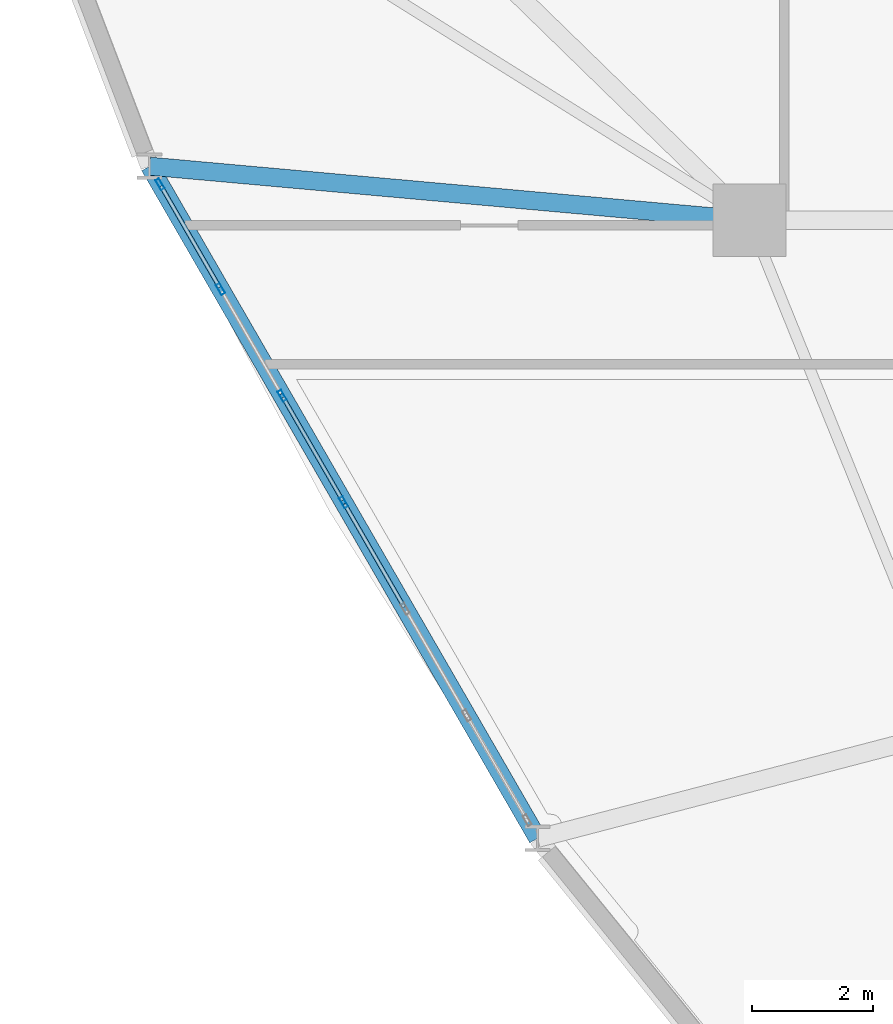
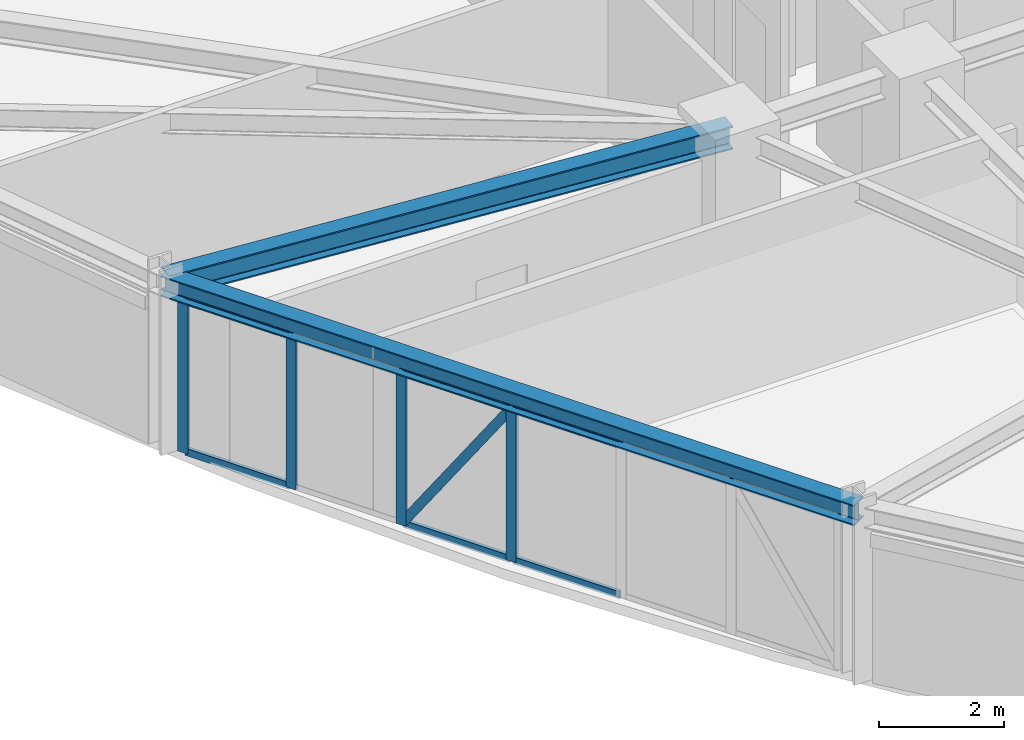
# One storey, part 4 of 15: 11 members, 2 beams, 1 element without a shape of its own.
"""IFC4 building model written with IfcOpenShell, lengths in metres."""

from ifc_helpers import new_model, si_unit, derived_unit, direction, frame, origin, origin_2d, place, context, subcontext, project, spatial, hollow_rectangle, i_section, extrude, source, transform, mapped, material, layer, layer_set, material_profile, profile_set, type_object, element, aggregate, save


model = new_model("IFC4")

# Units and contexts
model_context = context("Model", 3, precision=1e-05, world=origin(), true_north=direction((0.0, 1.0)))
body_context = subcontext(model_context, "Body", "Model", "MODEL_VIEW")
ifc_project = project(units=[si_unit("LENGTHUNIT", "METRE"), si_unit("AREAUNIT", "SQUARE_METRE"), si_unit("VOLUMEUNIT", "CUBIC_METRE"), si_unit("PLANEANGLEUNIT", "RADIAN"), si_unit("MASSUNIT", "GRAM", prefix="KILO"), derived_unit("THERMALTRANSMITTANCEUNIT", [(si_unit("POWERUNIT", "WATT"), 1), (si_unit("LENGTHUNIT", "METRE"), -2), (si_unit("THERMODYNAMICTEMPERATUREUNIT", "KELVIN"), -1)])], contexts=[model_context])

# Site, building, storey
site_placement = place(None, origin())
site = spatial("IfcSite", under=ifc_project, at=site_placement, CompositionType="ELEMENT")
building_placement = place(site_placement, origin())
building = spatial("IfcBuilding", under=site, at=building_placement, Name="Korsvarv Bourse and Concert Hall", CompositionType="ELEMENT")
storey_placement = place(building_placement, frame((0.0, 0.0, 157.800048828125)))
storey = spatial("IfcBuildingStorey", under=building, at=storey_placement, Name="L40", CompositionType="ELEMENT", Elevation=157.800048828125)

# Beams
ifc_material_1 = material(Name="Steel S355", Category="steel")
ifc_material_profile_1 = material_profile(ifc_material_1, i_section(OverallWidth=0.300048828125, OverallDepth=0.39990234375, WebThickness=0.013427734375, FlangeThickness=0.02392578125, FilletRadius=0.02099609375, at=origin_2d()), Name="HEB 400")
ifc_profile_set_1 = profile_set([ifc_material_profile_1], Name="Steel S355")
beam_type_1 = type_object("IfcBeamType", Name="BM-HEB400", PredefinedType="SPANDREL", material=ifc_profile_set_1)
shared_shape_1 = source(origin(), body_context, "Body", "SweptSolid", [
    extrude(i_section(OverallWidth=0.300048828125, OverallDepth=0.39990234375, WebThickness=0.013427734375, FlangeThickness=0.02392578125, FilletRadius=0.02099609375, at=origin_2d()), origin(), (0.0, 0.0, 1.0), 12.802978515625),
])
beam_1_placement = place(storey_placement, frame((14.30322265625, 33.2900390625, 3.199951171875), z_axis=(0.500009117708, -0.866020139609, 0.0), x_axis=(0.866020139609, 0.500009117708, 0.0)))
element("IfcBeam", 1, at=beam_1_placement, inside=storey, type_object=beam_type_1, Name="L40 beam B-09", PredefinedType="SPANDREL", context=body_context, shape_type="MappedRepresentation", body=[
    mapped(shared_shape_1, transform((0.0, 0.0, 0.0), scale=1.0)),
])
ifc_material_profile_2 = material_profile(ifc_material_1, i_section(OverallWidth=0.300048828125, OverallDepth=0.449951171875, WebThickness=0.013916015625, FlangeThickness=0.02587890625, FilletRadius=0.02099609375, at=origin_2d()), Name="HEB 450")
ifc_profile_set_2 = profile_set([ifc_material_profile_2], Name="Steel S355")
beam_type_2 = type_object("IfcBeamType", Name="BM-HEB450", PredefinedType="SPANDREL", material=ifc_profile_set_2)
shared_shape_2 = source(origin(), body_context, "Body", "SweptSolid", [
    extrude(i_section(OverallWidth=0.300048828125, OverallDepth=0.449951171875, WebThickness=0.013916015625, FlangeThickness=0.02587890625, FilletRadius=0.02099609375, at=origin_2d()), origin(), (0.0, 0.0, 1.0), 9.936767578125),
])
beam_2_placement = place(storey_placement, frame((14.30322265625, 33.2900390625, 3.175048828125), z_axis=(0.99597954808, -0.089580912063, 0.0), x_axis=(0.089580912063, 0.99597954808, 0.0)))
element("IfcBeam", 2, at=beam_2_placement, inside=storey, type_object=beam_type_2, Name="L40 beam B-08", PredefinedType="SPANDREL", context=body_context, shape_type="MappedRepresentation", body=[
    mapped(shared_shape_2, transform((0.0, 0.0, 0.0), scale=1.0)),
])

# Curtain wall, members
ifc_material_2 = material(Name="Anodised aluminium and triple low-E glazing", Category="glass")
ifc_layer = layer(ifc_material_2, 0.2099609375)
ifc_layer_set = layer_set([ifc_layer], Name="Anodised aluminium and triple low-E glazing")
curtain_wall_type = type_object("IfcCurtainWallType", Name="CW-SYS-2", PredefinedType="NOTDEFINED", material=ifc_layer_set)
curtain_wall_placement = place(storey_placement, origin())
curtain_wall = element("IfcCurtainWall", 3, at=curtain_wall_placement, inside=storey, type_object=curtain_wall_type, Name="L40 CW2 curtain wall CW-L40-F07", PredefinedType="NOTDEFINED")
ifc_material_3 = material(Name="Extruded aluminium EN AW-6063 T66", Category="aluminium")
ifc_material_profile_3 = material_profile(ifc_material_3, hollow_rectangle(XDim=0.070068359375, YDim=0.18994140625, WallThickness=0.0048828125, at=origin_2d()), Name="ALU-M 70x190")
ifc_profile_set_3 = profile_set([ifc_material_profile_3], Name="Extruded aluminium EN AW-6063 T66")
member_type_1 = type_object("IfcMemberType", Name="CWM-190", PredefinedType="MULLION", material=ifc_profile_set_3)
shared_shape_3 = source(origin(), body_context, "Body", "SweptSolid", [
    extrude(hollow_rectangle(XDim=0.070068359375, YDim=0.18994140625, WallThickness=0.0048828125, at=origin_2d()), origin(), (0.0, 0.0, 1.0), 3.0),
])
member_1_placement = place(storey_placement, frame((14.47509765625, 32.9921875, 0.0), z_axis=(0.0, 0.0, 1.0), x_axis=(0.86602405061, 0.500002343759, 0.0)))
member_1 = element("IfcMember", 4, at=member_1_placement, type_object=member_type_1, Name="CW2 mullion 1", PredefinedType="MULLION", context=body_context, shape_type="MappedRepresentation", body=[
    mapped(shared_shape_3, transform((0.0, 0.0, 0.0), scale=1.0)),
])
member_2_placement = place(storey_placement, frame((15.47314453125, 31.263916015625, 0.0), z_axis=(0.0, 0.0, 1.0), x_axis=(0.86602405061, 0.500002343759, 0.0)))
member_2 = element("IfcMember", 5, at=member_2_placement, type_object=member_type_1, Name="CW2 mullion 2", PredefinedType="MULLION", context=body_context, shape_type="MappedRepresentation", body=[
    mapped(shared_shape_3, transform((0.0, 0.0, 0.0), scale=1.0)),
])
member_3_placement = place(storey_placement, frame((16.488525390625, 29.5048828125, 0.0), z_axis=(0.0, 0.0, 1.0), x_axis=(0.86602405061, 0.500002343759, 0.0)))
member_3 = element("IfcMember", 6, at=member_3_placement, type_object=member_type_1, Name="CW2 mullion 3", PredefinedType="MULLION", context=body_context, shape_type="MappedRepresentation", body=[
    mapped(shared_shape_3, transform((0.0, 0.0, 0.0), scale=1.0)),
])
member_4_placement = place(storey_placement, frame((17.504150390625, 27.74609375, 0.0), z_axis=(0.0, 0.0, 1.0), x_axis=(0.86602405061, 0.500002343759, 0.0)))
member_4 = element("IfcMember", 7, at=member_4_placement, type_object=member_type_1, Name="CW2 mullion 4", PredefinedType="MULLION", context=body_context, shape_type="MappedRepresentation", body=[
    mapped(shared_shape_3, transform((0.0, 0.0, 0.0), scale=1.0)),
])
ifc_material_profile_4 = material_profile(ifc_material_3, hollow_rectangle(XDim=0.06494140625, YDim=0.139892578125, WallThickness=0.00390625, at=origin_2d()), Name="ALU-T 65x140")
ifc_profile_set_4 = profile_set([ifc_material_profile_4], Name="Extruded aluminium EN AW-6063 T66")
member_type_2 = type_object("IfcMemberType", Name="CWT-140", PredefinedType="USERDEFINED", material=ifc_profile_set_4)
shared_shape_4 = source(origin(), body_context, "Body", "SweptSolid", [
    extrude(hollow_rectangle(XDim=0.06494140625, YDim=0.139892578125, WallThickness=0.00390625, at=origin_2d()), origin(), (0.0, 0.0, 1.0), 1.92578125),
])
member_5_placement = place(storey_placement, frame((14.49267578125, 32.9619140625, 0.032470703125), z_axis=(0.50001143954, -0.866018799062, 0.0), x_axis=(0.866018799062, 0.50001143954, 0.0)))
member_5 = element("IfcMember", 8, at=member_5_placement, type_object=member_type_2, Name="CW2 transom 1.1", ObjectType="TRANSOM", PredefinedType="USERDEFINED", context=body_context, shape_type="MappedRepresentation", body=[
    mapped(shared_shape_4, transform((0.0, 0.0, 0.0), scale=1.0)),
])
member_6_placement = place(storey_placement, frame((14.49267578125, 32.9619140625, 2.967529296875), z_axis=(0.50001143954, -0.866018799062, 0.0), x_axis=(0.866018799062, 0.50001143954, 0.0)))
member_6 = element("IfcMember", 9, at=member_6_placement, type_object=member_type_2, Name="CW2 transom 1.2", ObjectType="TRANSOM", PredefinedType="USERDEFINED", context=body_context, shape_type="MappedRepresentation", body=[
    mapped(shared_shape_4, transform((0.0, 0.0, 0.0), scale=1.0)),
])
shared_shape_5 = source(origin(), body_context, "Body", "SweptSolid", [
    extrude(hollow_rectangle(XDim=0.06494140625, YDim=0.139892578125, WallThickness=0.00390625, at=origin_2d()), origin(), (0.0, 0.0, 1.0), 1.960693359375),
])
member_7_placement = place(storey_placement, frame((16.506103515625, 29.474609375, 0.032470703125), z_axis=(0.500049388818, -0.865996887259, 0.0), x_axis=(0.865996887259, 0.500049388818, 0.0)))
member_7 = element("IfcMember", 10, at=member_7_placement, type_object=member_type_2, Name="CW2 transom 3.1", ObjectType="TRANSOM", PredefinedType="USERDEFINED", context=body_context, shape_type="MappedRepresentation", body=[
    mapped(shared_shape_5, transform((0.0, 0.0, 0.0), scale=1.0)),
])
member_8_placement = place(storey_placement, frame((16.506103515625, 29.474609375, 2.967529296875), z_axis=(0.500049388818, -0.865996887259, 0.0), x_axis=(0.865996887259, 0.500049388818, 0.0)))
member_8 = element("IfcMember", 11, at=member_8_placement, type_object=member_type_2, Name="CW2 transom 3.2", ObjectType="TRANSOM", PredefinedType="USERDEFINED", context=body_context, shape_type="MappedRepresentation", body=[
    mapped(shared_shape_5, transform((0.0, 0.0, 0.0), scale=1.0)),
])
member_9_placement = place(storey_placement, frame((17.521484375, 27.7158203125, 0.032470703125), z_axis=(0.500049388818, -0.865996887259, 0.0), x_axis=(0.865996887259, 0.500049388818, 0.0)))
member_9 = element("IfcMember", 12, at=member_9_placement, type_object=member_type_2, Name="CW2 transom 4.1", ObjectType="TRANSOM", PredefinedType="USERDEFINED", context=body_context, shape_type="MappedRepresentation", body=[
    mapped(shared_shape_5, transform((0.0, 0.0, 0.0), scale=1.0)),
])
member_10_placement = place(storey_placement, frame((17.521484375, 27.7158203125, 2.967529296875), z_axis=(0.500049388818, -0.865996887259, 0.0), x_axis=(0.865996887259, 0.500049388818, 0.0)))
member_10 = element("IfcMember", 13, at=member_10_placement, type_object=member_type_2, Name="CW2 transom 4.2", ObjectType="TRANSOM", PredefinedType="USERDEFINED", context=body_context, shape_type="MappedRepresentation", body=[
    mapped(shared_shape_5, transform((0.0, 0.0, 0.0), scale=1.0)),
])
ifc_material_profile_5 = material_profile(ifc_material_3, hollow_rectangle(XDim=0.06494140625, YDim=0.1650390625, WallThickness=0.0048828125, at=origin_2d()), Name="ALU-M 65x165")
ifc_profile_set_5 = profile_set([ifc_material_profile_5], Name="Extruded aluminium EN AW-6063 T66")
member_type_3 = type_object("IfcMemberType", Name="CWM-165", PredefinedType="MULLION", material=ifc_profile_set_5)
shared_shape_6 = source(origin(), body_context, "Body", "SweptSolid", [
    extrude(hollow_rectangle(XDim=0.06494140625, YDim=0.1650390625, WallThickness=0.0048828125, at=origin_2d()), origin(), (0.0, 0.0, 1.0), 3.475830078125),
])
member_11_placement = place(storey_placement, frame((16.506103515625, 29.474609375, 0.06494140625), z_axis=(0.282073794503, -0.48850180298, 0.825712033908), x_axis=(0.865996887259, 0.500049388818, 0.0)))
member_11 = element("IfcMember", 14, at=member_11_placement, type_object=member_type_3, Name="CW2 diagonal mullion 3", PredefinedType="MULLION", context=body_context, shape_type="MappedRepresentation", body=[
    mapped(shared_shape_6, transform((0.0, 0.0, 0.0), scale=1.0)),
])
aggregate(curtain_wall, [member_1, member_2, member_3, member_4, member_5, member_6, member_7, member_8, member_11, member_9, member_10])

save(model, "model.ifc")
